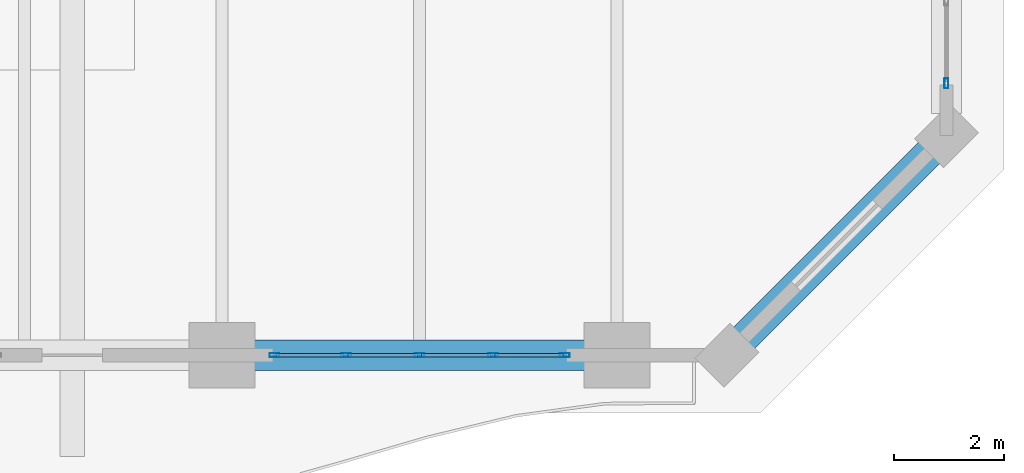
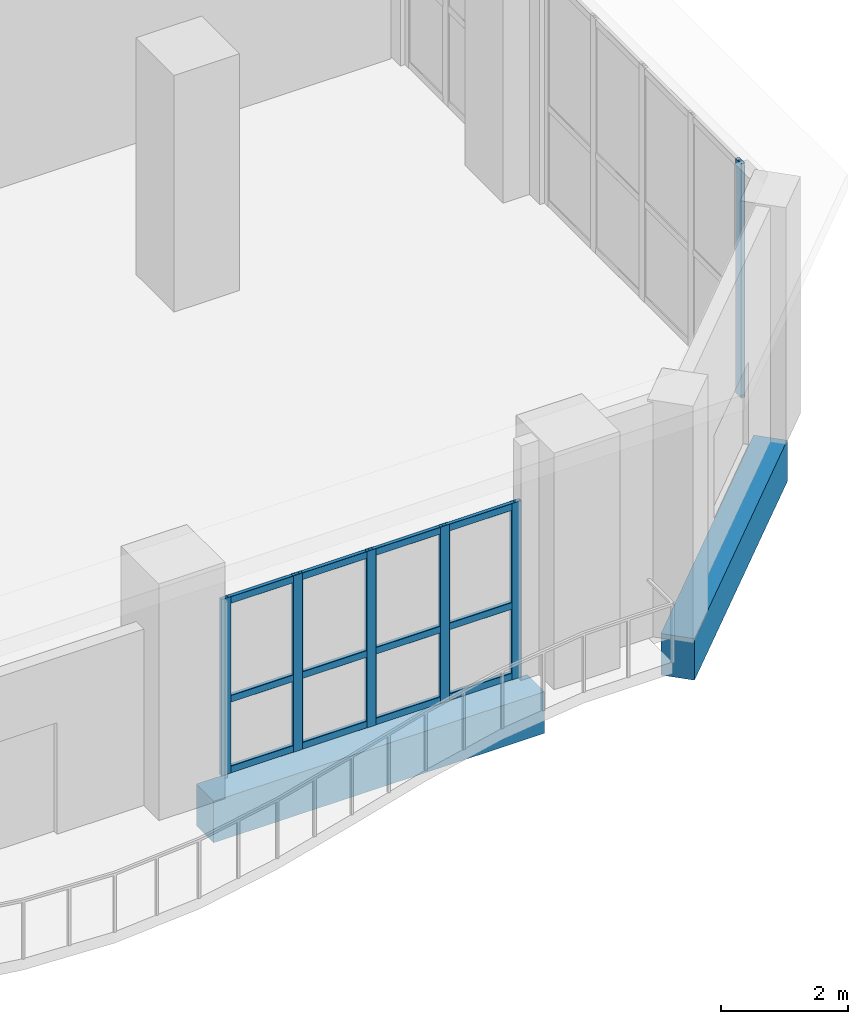
# One storey, part 18 of 37: 18 members, 2 beams, 2 elements without a shape of their own.
"""IFC4 building model written with IfcOpenShell, lengths in metres."""

from ifc_helpers import new_model, si_unit, direction, frame, origin, origin_2d, place, context, subcontext, project, spatial, rectangle, hollow_rectangle, extrude, material, layer, layer_set, material_profile, profile_set, type_object, element, aggregate, save


model = new_model("IFC4")

# Units and contexts
model_context = context("Model", 3, precision=1e-05, world=origin(), true_north=direction((0.0, 1.0)))
body_context = subcontext(model_context, "Body", "Model", "MODEL_VIEW")
ifc_project = project(units=[si_unit("LENGTHUNIT", "METRE"), si_unit("AREAUNIT", "SQUARE_METRE"), si_unit("VOLUMEUNIT", "CUBIC_METRE"), si_unit("PLANEANGLEUNIT", "RADIAN"), si_unit("MASSUNIT", "GRAM", prefix="KILO")], contexts=[model_context])

# Site, building, storey
site_placement = place(None, origin())
site = spatial("IfcSite", under=ifc_project, at=site_placement, CompositionType="ELEMENT")
building_placement = place(site_placement, origin())
building = spatial("IfcBuilding", under=site, at=building_placement, Name="Kaelvorn Grand Hotel", CompositionType="ELEMENT")
storey_placement = place(building_placement, frame((0.0, 0.0, 224.35009765625)))
storey = spatial("IfcBuildingStorey", under=building, at=storey_placement, Name="L55", CompositionType="ELEMENT", Elevation=224.35009765625)

# Beams
ifc_material_1 = material(Name="Concrete C50/60", Category="concrete")
ifc_material_profile_1 = material_profile(ifc_material_1, rectangle(XDim=0.550048828125, YDim=0.800048828125, at=origin_2d()), Name="RC SPANDREL 550x800")
ifc_profile_set_1 = profile_set([ifc_material_profile_1], Name="Concrete C50/60")
beam_type = type_object("IfcBeamType", Name="BM-SP-550x800-C50", PredefinedType="SPANDREL", material=ifc_profile_set_1)
beam_1_placement = place(storey_placement, frame((68.385009765625, 3.0, -0.64013671875), z_axis=(1.0, 0.0, 0.0), x_axis=(0.0, 1.0, 0.0)))
element("IfcBeam", 1, at=beam_1_placement, inside=storey, type_object=beam_type, Name="L55 South Perimeter Spandrel 10", PredefinedType="SPANDREL", context=body_context, shape_type="SweptSolid", body=[
    extrude(rectangle(XDim=0.550048828125, YDim=0.800048828125, at=origin_2d()), origin(), (0.0, 0.0, 1.0), 6.030029296875),
])
beam_2_placement = place(storey_placement, frame((77.0, 3.0, -0.64013671875), z_axis=(0.707106781187, 0.707106781187, 0.0), x_axis=(-0.707106781187, 0.707106781187, 0.0)))
element("IfcBeam", 2, at=beam_2_placement, inside=storey, type_object=beam_type, Name="L55 Chamfer Spandrel Beam 1", PredefinedType="SPANDREL", context=body_context, shape_type="SweptSolid", body=[
    extrude(rectangle(XDim=0.550048828125, YDim=0.800048828125, at=origin_2d()), origin(), (0.0, 0.0, 1.0), 5.65673828125),
])

# Curtain wall, members
ifc_material_2 = material(Name="Anodised Aluminium", Category="aluminium")
ifc_layer = layer(ifc_material_2, 0.179931640625)
ifc_layer_set = layer_set([ifc_layer], Name="Anodised Aluminium")
curtain_wall_type = type_object("IfcCurtainWallType", Name="CW-SYS4", PredefinedType="NOTDEFINED", material=ifc_layer_set)
curtain_wall_1_placement = place(storey_placement, origin())
curtain_wall_1 = element("IfcCurtainWall", 3, at=curtain_wall_1_placement, inside=storey, type_object=curtain_wall_type, Name="L55 Unitised Curtain Wall CW4 (CW-L55-SB4-01)", PredefinedType="NOTDEFINED")
ifc_material_profile_2 = material_profile(ifc_material_2, hollow_rectangle(XDim=0.070068359375, YDim=0.179931640625, WallThickness=0.00390625, InnerFilletRadius=0.00390625, OuterFilletRadius=0.008056640625, at=origin_2d()), Name="ALU MULL 70x180")
ifc_profile_set_2 = profile_set([ifc_material_profile_2], Name="Anodised Aluminium")
member_type_1 = type_object("IfcMemberType", Name="CW-SYS4-MULL", PredefinedType="MULLION", material=ifc_profile_set_2)
member_1_placement = place(storey_placement, frame((68.7548828125, 3.0, 0.0), z_axis=(0.0, 0.0, 1.0), x_axis=(0.0, 1.0, 0.0)))
member_1 = element("IfcMember", 4, at=member_1_placement, type_object=member_type_1, Name="CW4 mullion 1", PredefinedType="MULLION", context=body_context, shape_type="SweptSolid", body=[
    extrude(hollow_rectangle(XDim=0.070068359375, YDim=0.179931640625, WallThickness=0.00390625, InnerFilletRadius=0.00390625, OuterFilletRadius=0.008056640625, at=origin_2d()), origin(), (0.0, 0.0, 1.0), 3.39990234375),
])
member_2_placement = place(storey_placement, frame((70.06005859375, 3.0, 0.0), z_axis=(0.0, 0.0, 1.0), x_axis=(0.0, 1.0, 0.0)))
member_2 = element("IfcMember", 5, at=member_2_placement, type_object=member_type_1, Name="CW4 mullion 2", PredefinedType="MULLION", context=body_context, shape_type="SweptSolid", body=[
    extrude(hollow_rectangle(XDim=0.070068359375, YDim=0.179931640625, WallThickness=0.00390625, InnerFilletRadius=0.00390625, OuterFilletRadius=0.008056640625, at=origin_2d()), origin(), (0.0, 0.0, 1.0), 3.39990234375),
])
member_3_placement = place(storey_placement, frame((71.39990234375, 3.0, 0.0), z_axis=(0.0, 0.0, 1.0), x_axis=(0.0, 1.0, 0.0)))
member_3 = element("IfcMember", 6, at=member_3_placement, type_object=member_type_1, Name="CW4 mullion 3", PredefinedType="MULLION", context=body_context, shape_type="SweptSolid", body=[
    extrude(hollow_rectangle(XDim=0.070068359375, YDim=0.179931640625, WallThickness=0.00390625, InnerFilletRadius=0.00390625, OuterFilletRadius=0.008056640625, at=origin_2d()), origin(), (0.0, 0.0, 1.0), 3.39990234375),
])
member_4_placement = place(storey_placement, frame((72.739990234375, 3.0, 0.0), z_axis=(0.0, 0.0, 1.0), x_axis=(0.0, 1.0, 0.0)))
member_4 = element("IfcMember", 7, at=member_4_placement, type_object=member_type_1, Name="CW4 mullion 4", PredefinedType="MULLION", context=body_context, shape_type="SweptSolid", body=[
    extrude(hollow_rectangle(XDim=0.070068359375, YDim=0.179931640625, WallThickness=0.00390625, InnerFilletRadius=0.00390625, OuterFilletRadius=0.008056640625, at=origin_2d()), origin(), (0.0, 0.0, 1.0), 3.39990234375),
])
member_5_placement = place(storey_placement, frame((74.044921875, 3.0, 0.0), z_axis=(0.0, 0.0, 1.0), x_axis=(0.0, 1.0, 0.0)))
member_5 = element("IfcMember", 8, at=member_5_placement, type_object=member_type_1, Name="CW4 mullion 5", PredefinedType="MULLION", context=body_context, shape_type="SweptSolid", body=[
    extrude(hollow_rectangle(XDim=0.070068359375, YDim=0.179931640625, WallThickness=0.00390625, InnerFilletRadius=0.00390625, OuterFilletRadius=0.008056640625, at=origin_2d()), origin(), (0.0, 0.0, 1.0), 3.39990234375),
])

# Curtain wall, member
curtain_wall_2_placement = place(storey_placement, origin())
curtain_wall_2 = element("IfcCurtainWall", 9, at=curtain_wall_2_placement, inside=storey, type_object=curtain_wall_type, Name="L55 Unitised Curtain Wall CW4 (CW-L55-E-01)", PredefinedType="NOTDEFINED")
member_6_placement = place(storey_placement, frame((81.0, 7.955078125, 0.0), z_axis=(0.0, 0.0, 1.0), x_axis=(-1.0, 0.0, 0.0)))
member_6 = element("IfcMember", 10, at=member_6_placement, type_object=member_type_1, Name="CW4 mullion 1", PredefinedType="MULLION", context=body_context, shape_type="SweptSolid", body=[
    extrude(hollow_rectangle(XDim=0.070068359375, YDim=0.179931640625, WallThickness=0.00390625, InnerFilletRadius=0.00390625, OuterFilletRadius=0.008056640625, at=origin_2d()), origin(), (0.0, 0.0, 1.0), 4.52001953125),
])
aggregate(curtain_wall_2, [member_6])

# Member
ifc_material_profile_3 = material_profile(ifc_material_2, hollow_rectangle(XDim=0.070068359375, YDim=0.135009765625, WallThickness=0.00341796875, InnerFilletRadius=0.00341796875, OuterFilletRadius=0.007080078125, at=origin_2d()), Name="ALU TRAN 70x135")
ifc_profile_set_3 = profile_set([ifc_material_profile_3], Name="Anodised Aluminium")
member_type_2 = type_object("IfcMemberType", Name="CW-SYS4-TRAN", PredefinedType="NOTDEFINED", material=ifc_profile_set_3)
member_7_placement = place(storey_placement, frame((68.7900390625, 3.0, 0.0673828125), z_axis=(1.0, 0.0, 0.0), x_axis=(0.0, 1.0, 0.0)))
member_7 = element("IfcMember", 11, at=member_7_placement, type_object=member_type_2, Name="CW4 transom 1.1", ObjectType="TRANSOM", PredefinedType="USERDEFINED", context=body_context, shape_type="SweptSolid", body=[
    extrude(hollow_rectangle(XDim=0.070068359375, YDim=0.135009765625, WallThickness=0.00341796875, InnerFilletRadius=0.00341796875, OuterFilletRadius=0.007080078125, at=origin_2d()), origin(), (0.0, 0.0, 1.0), 1.23486328125),
])

member_8_placement = place(storey_placement, frame((68.7900390625, 3.0, 1.427978515625), z_axis=(1.0, 0.0, 0.0), x_axis=(0.0, 1.0, 0.0)))
member_8 = element("IfcMember", 12, at=member_8_placement, type_object=member_type_2, Name="CW4 transom 1.2", ObjectType="TRANSOM", PredefinedType="USERDEFINED", context=body_context, shape_type="SweptSolid", body=[
    extrude(hollow_rectangle(XDim=0.070068359375, YDim=0.135009765625, WallThickness=0.00341796875, InnerFilletRadius=0.00341796875, OuterFilletRadius=0.007080078125, at=origin_2d()), origin(), (0.0, 0.0, 1.0), 1.23486328125),
])

member_9_placement = place(storey_placement, frame((68.7900390625, 3.0, 3.33251953125), z_axis=(1.0, 0.0, 0.0), x_axis=(0.0, 1.0, 0.0)))
member_9 = element("IfcMember", 13, at=member_9_placement, type_object=member_type_2, Name="CW4 transom 1.3", ObjectType="TRANSOM", PredefinedType="USERDEFINED", context=body_context, shape_type="SweptSolid", body=[
    extrude(hollow_rectangle(XDim=0.070068359375, YDim=0.135009765625, WallThickness=0.00341796875, InnerFilletRadius=0.00341796875, OuterFilletRadius=0.007080078125, at=origin_2d()), origin(), (0.0, 0.0, 1.0), 1.23486328125),
])

member_10_placement = place(storey_placement, frame((70.094970703125, 3.0, 0.0673828125), z_axis=(1.0, 0.0, 0.0), x_axis=(0.0, 1.0, 0.0)))
member_10 = element("IfcMember", 14, at=member_10_placement, type_object=member_type_2, Name="CW4 transom 2.1", ObjectType="TRANSOM", PredefinedType="USERDEFINED", context=body_context, shape_type="SweptSolid", body=[
    extrude(hollow_rectangle(XDim=0.070068359375, YDim=0.135009765625, WallThickness=0.00341796875, InnerFilletRadius=0.00341796875, OuterFilletRadius=0.007080078125, at=origin_2d()), origin(), (0.0, 0.0, 1.0), 1.27001953125),
])

member_11_placement = place(storey_placement, frame((70.094970703125, 3.0, 1.427978515625), z_axis=(1.0, 0.0, 0.0), x_axis=(0.0, 1.0, 0.0)))
member_11 = element("IfcMember", 15, at=member_11_placement, type_object=member_type_2, Name="CW4 transom 2.2", ObjectType="TRANSOM", PredefinedType="USERDEFINED", context=body_context, shape_type="SweptSolid", body=[
    extrude(hollow_rectangle(XDim=0.070068359375, YDim=0.135009765625, WallThickness=0.00341796875, InnerFilletRadius=0.00341796875, OuterFilletRadius=0.007080078125, at=origin_2d()), origin(), (0.0, 0.0, 1.0), 1.27001953125),
])

member_12_placement = place(storey_placement, frame((70.094970703125, 3.0, 3.33251953125), z_axis=(1.0, 0.0, 0.0), x_axis=(0.0, 1.0, 0.0)))
member_12 = element("IfcMember", 16, at=member_12_placement, type_object=member_type_2, Name="CW4 transom 2.3", ObjectType="TRANSOM", PredefinedType="USERDEFINED", context=body_context, shape_type="SweptSolid", body=[
    extrude(hollow_rectangle(XDim=0.070068359375, YDim=0.135009765625, WallThickness=0.00341796875, InnerFilletRadius=0.00341796875, OuterFilletRadius=0.007080078125, at=origin_2d()), origin(), (0.0, 0.0, 1.0), 1.27001953125),
])

member_13_placement = place(storey_placement, frame((71.43505859375, 3.0, 0.0673828125), z_axis=(1.0, 0.0, 0.0), x_axis=(0.0, 1.0, 0.0)))
member_13 = element("IfcMember", 17, at=member_13_placement, type_object=member_type_2, Name="CW4 transom 3.1", ObjectType="TRANSOM", PredefinedType="USERDEFINED", context=body_context, shape_type="SweptSolid", body=[
    extrude(hollow_rectangle(XDim=0.070068359375, YDim=0.135009765625, WallThickness=0.00341796875, InnerFilletRadius=0.00341796875, OuterFilletRadius=0.007080078125, at=origin_2d()), origin(), (0.0, 0.0, 1.0), 1.27001953125),
])

member_14_placement = place(storey_placement, frame((71.43505859375, 3.0, 1.427978515625), z_axis=(1.0, 0.0, 0.0), x_axis=(0.0, 1.0, 0.0)))
member_14 = element("IfcMember", 18, at=member_14_placement, type_object=member_type_2, Name="CW4 transom 3.2", ObjectType="TRANSOM", PredefinedType="USERDEFINED", context=body_context, shape_type="SweptSolid", body=[
    extrude(hollow_rectangle(XDim=0.070068359375, YDim=0.135009765625, WallThickness=0.00341796875, InnerFilletRadius=0.00341796875, OuterFilletRadius=0.007080078125, at=origin_2d()), origin(), (0.0, 0.0, 1.0), 1.27001953125),
])

member_15_placement = place(storey_placement, frame((71.43505859375, 3.0, 3.33251953125), z_axis=(1.0, 0.0, 0.0), x_axis=(0.0, 1.0, 0.0)))
member_15 = element("IfcMember", 19, at=member_15_placement, type_object=member_type_2, Name="CW4 transom 3.3", ObjectType="TRANSOM", PredefinedType="USERDEFINED", context=body_context, shape_type="SweptSolid", body=[
    extrude(hollow_rectangle(XDim=0.070068359375, YDim=0.135009765625, WallThickness=0.00341796875, InnerFilletRadius=0.00341796875, OuterFilletRadius=0.007080078125, at=origin_2d()), origin(), (0.0, 0.0, 1.0), 1.27001953125),
])

member_16_placement = place(storey_placement, frame((72.77490234375, 3.0, 0.0673828125), z_axis=(1.0, 0.0, 0.0), x_axis=(0.0, 1.0, 0.0)))
member_16 = element("IfcMember", 20, at=member_16_placement, type_object=member_type_2, Name="CW4 transom 4.1", ObjectType="TRANSOM", PredefinedType="USERDEFINED", context=body_context, shape_type="SweptSolid", body=[
    extrude(hollow_rectangle(XDim=0.070068359375, YDim=0.135009765625, WallThickness=0.00341796875, InnerFilletRadius=0.00341796875, OuterFilletRadius=0.007080078125, at=origin_2d()), origin(), (0.0, 0.0, 1.0), 1.235107421875),
])

member_17_placement = place(storey_placement, frame((72.77490234375, 3.0, 1.427978515625), z_axis=(1.0, 0.0, 0.0), x_axis=(0.0, 1.0, 0.0)))
member_17 = element("IfcMember", 21, at=member_17_placement, type_object=member_type_2, Name="CW4 transom 4.2", ObjectType="TRANSOM", PredefinedType="USERDEFINED", context=body_context, shape_type="SweptSolid", body=[
    extrude(hollow_rectangle(XDim=0.070068359375, YDim=0.135009765625, WallThickness=0.00341796875, InnerFilletRadius=0.00341796875, OuterFilletRadius=0.007080078125, at=origin_2d()), origin(), (0.0, 0.0, 1.0), 1.235107421875),
])

member_18_placement = place(storey_placement, frame((72.77490234375, 3.0, 3.33251953125), z_axis=(1.0, 0.0, 0.0), x_axis=(0.0, 1.0, 0.0)))
member_18 = element("IfcMember", 22, at=member_18_placement, type_object=member_type_2, Name="CW4 transom 4.3", ObjectType="TRANSOM", PredefinedType="USERDEFINED", context=body_context, shape_type="SweptSolid", body=[
    extrude(hollow_rectangle(XDim=0.070068359375, YDim=0.135009765625, WallThickness=0.00341796875, InnerFilletRadius=0.00341796875, OuterFilletRadius=0.007080078125, at=origin_2d()), origin(), (0.0, 0.0, 1.0), 1.235107421875),
])

aggregate(curtain_wall_1, [member_1, member_2, member_3, member_4, member_5, member_7, member_8, member_9, member_10, member_11, member_12, member_13, member_14, member_15, member_16, member_17, member_18])

save(model, "model.ifc")
